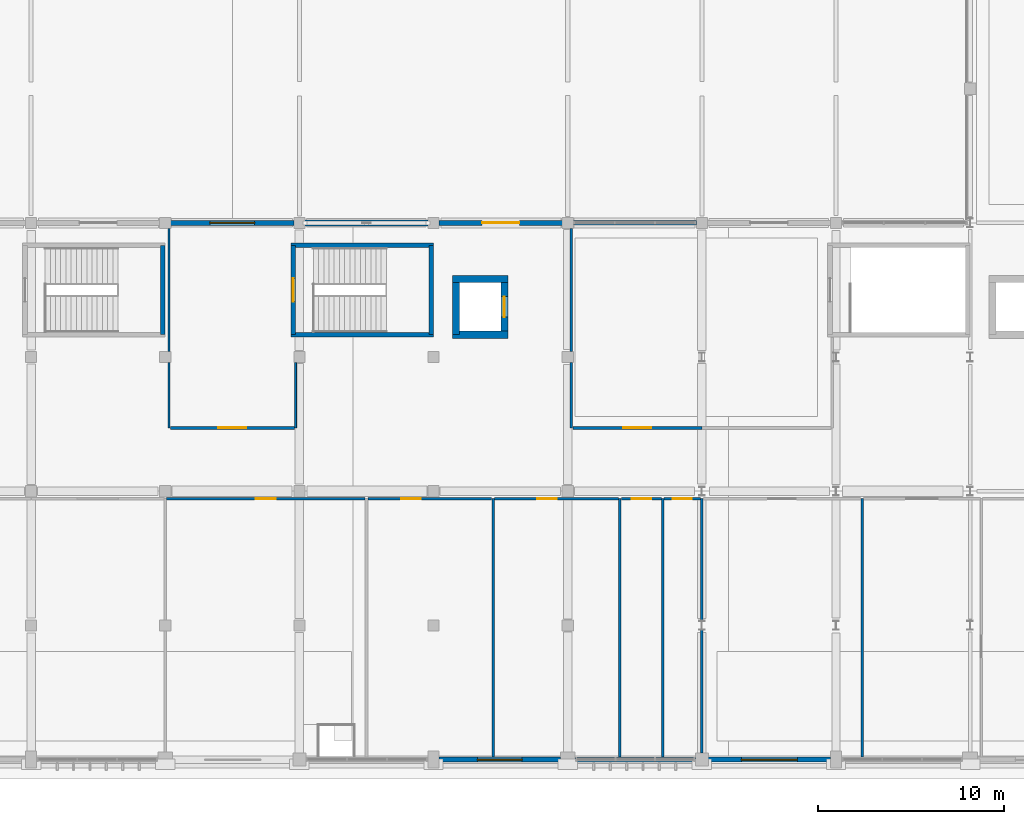
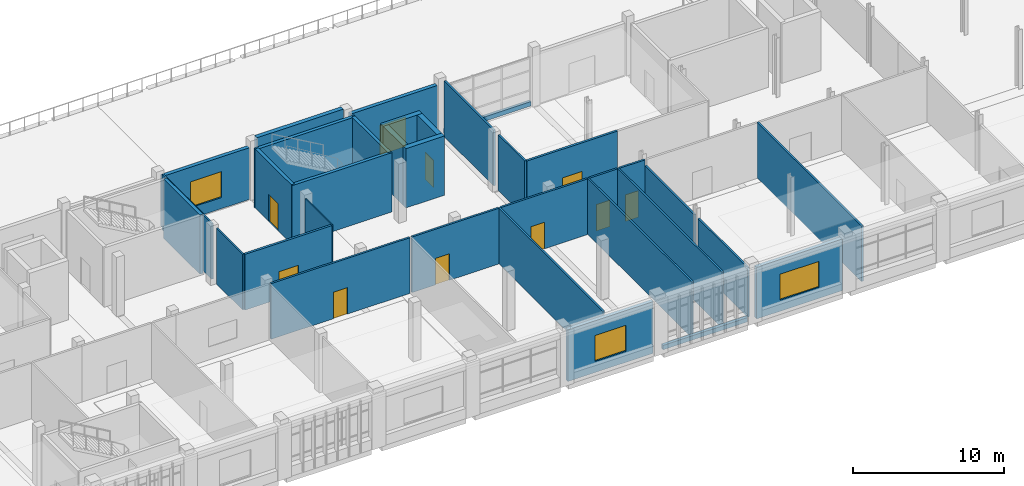
# One storey, part 59 of 82: 34 walls, 10 doors, 3 windows, 13 openings.
"""IFC4 building model written with IfcOpenShell, lengths in metres."""

import ifcopenshell
import ifcopenshell.guid

model = None  # the IFC model being written
_history = None  # IfcOwnerHistory: only IFC2X3 demands one
_inside = {}  # id of a spatial element -> (the spatial element, [elements in it])
_under = {}  # id of a project, library or spatial element -> (it, [spatial elements below it])
_declared = {}  # id of a project -> (the project, [libraries it declares])
_typed = {}  # id of a type object -> (the type object, [elements of that type])
_made_of = {}  # id of a material, layer set ... -> (it, [elements and type objects made of it])


def new_model(schema):
    """Start an empty IFC model of exactly this schema.

    Asked for "IFC4X3", IfcOpenShell would pick the latest addendum, in which some entities
    have other attributes; the version numbers below select the first issue.
    IFC2X3 requires an IfcOwnerHistory on every rooted entity: one is made here for all.
    """
    global model, _history
    if schema == "IFC4X3":
        model = ifcopenshell.file(schema_version=(4, 3, 0, 0))
    else:
        model = ifcopenshell.file(schema=schema)
    _inside.clear()
    _under.clear()
    _declared.clear()
    _typed.clear()
    _made_of.clear()
    _history = None
    if model.schema == "IFC2X3":
        org = make("IfcOrganization", Name="unknown")
        user = make(
            "IfcPersonAndOrganization",
            ThePerson=make("IfcPerson", FamilyName="unknown"),
            TheOrganization=org,
        )
        app = make(
            "IfcApplication",
            ApplicationDeveloper=org,
            Version="unknown",
            ApplicationFullName="unknown",
            ApplicationIdentifier="unknown",
        )
        _history = make(
            "IfcOwnerHistory",
            OwningUser=user,
            OwningApplication=app,
            ChangeAction="ADDED",
            CreationDate=0,
        )
    return model


def make(cls, **values):
    """One entity of the class cls with the attributes given. An attribute that is None is left unset."""
    return model.create_entity(
        cls, **{name: value for name, value in values.items() if value is not None}
    )


def rooted(cls, **values):
    """An entity with a GlobalId (a new one), such as an element, a storey or a relation."""
    return make(cls, GlobalId=ifcopenshell.guid.new(), OwnerHistory=_history, **values)


def si_unit(unit_type, name, prefix=None):
    """IfcSIUnit, for example si_unit("LENGTHUNIT", "METRE", prefix="MILLI")."""
    return make("IfcSIUnit", UnitType=unit_type, Prefix=prefix, Name=name)


def assignment(units):
    """IfcUnitAssignment: the units of a project."""
    return None if units is None else make("IfcUnitAssignment", Units=units)


def point(xyz):
    """IfcCartesianPoint."""
    return None if xyz is None else make("IfcCartesianPoint", Coordinates=xyz)


def direction(xyz):
    """IfcDirection."""
    return None if xyz is None else make("IfcDirection", DirectionRatios=xyz)


def frame(location, z_axis=None, x_axis=None):
    """IfcAxis2Placement3D, a coordinate frame: its origin and axes. An axis left out is left unset."""
    return make(
        "IfcAxis2Placement3D",
        Location=point(location),
        Axis=direction(z_axis),
        RefDirection=direction(x_axis),
    )


def frame_2d(location, x_axis=None):
    """IfcAxis2Placement2D, a coordinate frame in the plane: its origin and x axis."""
    return make(
        "IfcAxis2Placement2D", Location=point(location), RefDirection=direction(x_axis)
    )


def origin():
    """The frame at (0, 0, 0) with its axes left unset."""
    return frame((0.0, 0.0, 0.0))


def place(relative_to, where):
    """IfcLocalPlacement: puts the frame where relative to a parent placement (None: the world)."""
    return make(
        "IfcLocalPlacement", PlacementRelTo=relative_to, RelativePlacement=where
    )


def context(
    kind, dimensions, precision=None, world=None, true_north=None, identifier=None
):
    """IfcGeometricRepresentationContext, for example the 3D "Model" context."""
    return make(
        "IfcGeometricRepresentationContext",
        ContextIdentifier=identifier,
        ContextType=kind,
        CoordinateSpaceDimension=dimensions,
        Precision=precision,
        WorldCoordinateSystem=world,
        TrueNorth=true_north,
    )


def subcontext(parent, identifier, kind, view, scale=None):
    """IfcGeometricRepresentationSubContext, for example "Body" below "Model"."""
    return make(
        "IfcGeometricRepresentationSubContext",
        ContextIdentifier=identifier,
        ContextType=kind,
        ParentContext=parent,
        TargetScale=scale,
        TargetView=view,
    )


def project(units=None, contexts=None):
    """IfcProject with its units and contexts."""
    return rooted(
        "IfcProject",
        Name="project",
        RepresentationContexts=contexts,
        UnitsInContext=assignment(units),
    )


def spatial(cls, under=None, at=None, **own):
    """A site, building, storey or space (cls), placed at a placement, below another one or the project."""
    s = rooted(cls, ObjectPlacement=at, **own)
    if under is not None:
        _under.setdefault(under.id(), (under, []))[1].append(s)
    return s


def profile(cls, at=None, kind="AREA", **sizes):
    """A parametric profile (cls). Its sizes go by their IFC names, for example OverallWidth=200.0."""
    return make(cls, ProfileType=kind, Position=at, **sizes)


def rectangle(**sizes):
    """IfcRectangleProfileDef."""
    return profile("IfcRectangleProfileDef", **sizes)


def extrude(swept, where, along, depth):
    """IfcExtrudedAreaSolid: the profile swept, set in the frame where, extruded along a direction by depth."""
    return make(
        "IfcExtrudedAreaSolid",
        SweptArea=swept,
        Position=where,
        ExtrudedDirection=direction(along),
        Depth=depth,
    )


def shape(context_of_items, identifier, shape_type, items):
    """IfcShapeRepresentation: the items that make up one representation, for example the "Body"."""
    return make(
        "IfcShapeRepresentation",
        ContextOfItems=context_of_items,
        RepresentationIdentifier=identifier,
        RepresentationType=shape_type,
        Items=items,
    )


def material(Name=None, Category=None):
    """IfcMaterial."""
    return make("IfcMaterial", Name=Name, Category=Category)


def layer(
    of_material, thickness, ventilated=None, Name=None, Category=None, Priority=None
):
    """IfcMaterialLayer: one layer of a wall or slab, of a material (None: an air gap)."""
    return make(
        "IfcMaterialLayer",
        Material=of_material,
        LayerThickness=thickness,
        IsVentilated=ventilated,
        Name=Name,
        Category=Category,
        Priority=Priority,
    )


def layer_set(layers, Name=None):
    """IfcMaterialLayerSet."""
    return make("IfcMaterialLayerSet", MaterialLayers=layers, LayerSetName=Name)


def made_of(thing, what):
    """Note that an element or type object is made of a material, layer set ...; save() writes the relation."""
    if what is not None:
        _made_of.setdefault(what.id(), (what, []))[1].append(thing)
    return thing


def type_object(cls, material=None, **own):
    """A type object (cls), such as IfcWallType, which elements share."""
    return made_of(rooted(cls, **own), material)


def element(
    cls,
    number,
    at=None,
    inside=None,
    cuts=None,
    type_object=None,
    material=None,
    context=None,
    identifier="Body",
    shape_type=None,
    held_by="IfcProductDefinitionShape",
    body=None,
    shapes=None,
    **own,
):
    """One element of the class cls, such as IfcWall. Its Tag is "e" and its number.

    at: its placement. inside: the storey or other place that contains it. cuts: it is an
    opening in that element (IfcRelVoidsElement). A single representation is given by context,
    identifier, shape_type and body (its items); several are given by shapes. held_by: the class
    of the entity that holds the representations. save() writes the other relations.
    """
    e = rooted(cls, Tag="e%d" % number, ObjectPlacement=at, **own)
    if body is not None:
        shapes = [shape(context, identifier, shape_type, body)]
    if shapes is not None:
        e.Representation = make(held_by, Representations=shapes)
    if inside is not None:
        _inside.setdefault(inside.id(), (inside, []))[1].append(e)
    if cuts is not None:
        rooted(
            "IfcRelVoidsElement", RelatingBuildingElement=cuts, RelatedOpeningElement=e
        )
    if type_object is not None:
        _typed.setdefault(type_object.id(), (type_object, []))[1].append(e)
    return made_of(e, material)


def fill(opening, filler):
    """IfcRelFillsElement: the door or window that sits in an opening."""
    return rooted(
        "IfcRelFillsElement",
        RelatingOpeningElement=opening,
        RelatedBuildingElement=filler,
    )


def aggregate(whole, parts):
    """IfcRelAggregates: a whole, such as a stair, and the parts it consists of."""
    return rooted("IfcRelAggregates", RelatingObject=whole, RelatedObjects=parts)


def save(model, path):
    """Write the relations noted so far, then the file.

    IfcRelAggregates (storeys below a building ...), IfcRelContainedInSpatialStructure (elements
    in a storey), IfcRelDefinesByType, IfcRelAssociatesMaterial and IfcRelDeclares: one each for
    every whole, place, type object, material and project.
    """
    for whole, parts in _under.values():
        aggregate(whole, parts)
    for where, things in _inside.values():
        rooted(
            "IfcRelContainedInSpatialStructure",
            RelatedElements=things,
            RelatingStructure=where,
        )
    for kind, things in _typed.values():
        rooted("IfcRelDefinesByType", RelatedObjects=things, RelatingType=kind)
    for what, things in _made_of.values():
        rooted("IfcRelAssociatesMaterial", RelatedObjects=things, RelatingMaterial=what)
    for by, libraries in _declared.values():
        rooted("IfcRelDeclares", RelatingContext=by, RelatedDefinitions=libraries)
    model.write(path)


model = new_model("IFC4")

# Units and contexts
model_context = context("Model", 3, precision=1e-05, world=origin(), true_north=direction((0.0, 1.0)))
body_context = subcontext(model_context, "Body", "Model", "MODEL_VIEW")
ifc_project = project(units=[si_unit("LENGTHUNIT", "METRE"), si_unit("AREAUNIT", "SQUARE_METRE"), si_unit("VOLUMEUNIT", "CUBIC_METRE"), si_unit("PLANEANGLEUNIT", "RADIAN"), si_unit("MASSUNIT", "GRAM", prefix="KILO")], contexts=[model_context])

# Site, building, storey
site_placement = place(None, origin())
site = spatial("IfcSite", under=ifc_project, at=site_placement, CompositionType="ELEMENT")
building_placement = place(site_placement, origin())
building = spatial("IfcBuilding", under=site, at=building_placement, Name="Sardonyx Promenade Sports Hall", CompositionType="ELEMENT")
storey_placement = place(building_placement, frame((0.0, 0.0, 11.199951171875)))
storey = spatial("IfcBuildingStorey", under=building, at=storey_placement, Name="L02", CompositionType="ELEMENT", Elevation=11.199951171875)

# Wall, opening, door
ifc_material_1 = material(Name="Concrete C40/50", Category="concrete")
ifc_layer_1 = layer(ifc_material_1, 0.3798828125)
ifc_layer_set_1 = layer_set([ifc_layer_1], Name="Wall_Core_Shear_380")
wall_type_1 = type_object("IfcWallType", Name="Wall_Core_Shear_380", PredefinedType="SHEAR", material=ifc_layer_set_1)
wall_1_placement = place(storey_placement, frame((83.0, 22.800048828125, 0.0), z_axis=(0.0, 0.0, 1.0), x_axis=(0.0, 1.0, 0.0)))
wall_1 = element("IfcWall", 1, at=wall_1_placement, inside=storey, type_object=wall_type_1, Name="Lift shaft wall LF2 L02 E", PredefinedType="SHEAR", context=body_context, shape_type="SweptSolid", body=[
    extrude(rectangle(XDim=3.0, YDim=0.3798828125, at=frame_2d((1.5, 0.0))), origin(), (0.0, 0.0, 1.0), 4.800048828125),
])
opening_1_placement = place(wall_1_placement, frame((0.949951171875, 0.0, 0.0)))
opening_1 = element("IfcOpeningElement", 2, at=opening_1_placement, cuts=wall_1, Name="Opening LD01", PredefinedType="OPENING", context=body_context, shape_type="SweptSolid", body=[
    extrude(rectangle(XDim=1.10009765625, YDim=2.199951171875, at=frame_2d((0.550048828125, 1.10009765625))), frame((0.0, 0.2, 0.0), z_axis=(0.0, -1.0, 0.0), x_axis=(1.0, 0.0, 0.0)), (0.0, 0.0, 1.0), 0.4),
])
ifc_material_2 = material(Name="Fire-rated stainless steel sliding lift door", Category="steel")
door_type_1 = type_object("IfcDoorType", Name="Door_Lift_Pass_110x220", OperationType="NOTDEFINED", PredefinedType="DOOR", material=ifc_material_2)
door_1_placement = place(opening_1_placement, origin())
door_1 = element("IfcDoor", 3, at=door_1_placement, inside=storey, type_object=door_type_1, Name="Lift landing sliding door LD-LF2-L02", OperationType="SLIDING_TO_LEFT", OverallHeight=2.199951171875, OverallWidth=1.10009765625, PredefinedType="DOOR", context=body_context, shape_type="SweptSolid", body=[
    extrude(rectangle(XDim=1.10009765625, YDim=2.199951171875, at=frame_2d((0.550048828125, 1.10009765625))), frame((0.0, 0.02490234375, 0.0), z_axis=(0.0, -1.0, 0.0), x_axis=(1.0, 0.0, 0.0)), (0.0, 0.0, 1.0), 0.050048828125),
])
fill(opening_1, door_1)

# Walls
wall_2_placement = place(storey_placement, frame((80.2099609375, 25.800048828125, 0.0), z_axis=(0.0, 0.0, 1.0), x_axis=(1.0, 0.0, 0.0)))
element("IfcWall", 4, at=wall_2_placement, inside=storey, type_object=wall_type_1, Name="Lift shaft wall LF2 L02 N", PredefinedType="SHEAR", context=body_context, shape_type="SweptSolid", body=[
    extrude(rectangle(XDim=2.97998046875, YDim=0.3798828125, at=frame_2d((1.489990234375, 0.0))), origin(), (0.0, 0.0, 1.0), 4.800048828125),
])
wall_3_placement = place(storey_placement, frame((80.39990234375, 25.800048828125, 0.0), z_axis=(0.0, 0.0, 1.0), x_axis=(0.0, -1.0, 0.0)))
element("IfcWall", 5, at=wall_3_placement, inside=storey, type_object=wall_type_1, Name="Lift shaft wall LF2 L02 W", PredefinedType="SHEAR", context=body_context, shape_type="SweptSolid", body=[
    extrude(rectangle(XDim=3.0, YDim=0.3798828125, at=frame_2d((1.5, 0.0))), origin(), (0.0, 0.0, 1.0), 4.800048828125),
])
wall_4_placement = place(storey_placement, frame((83.18994140625, 22.800048828125, 0.0), z_axis=(0.0, 0.0, 1.0), x_axis=(-1.0, 0.0, 0.0)))
element("IfcWall", 6, at=wall_4_placement, inside=storey, type_object=wall_type_1, Name="Lift shaft wall LF2 L02 S", PredefinedType="SHEAR", context=body_context, shape_type="SweptSolid", body=[
    extrude(rectangle(XDim=2.97998046875, YDim=0.3798828125, at=frame_2d((1.489990234375, 0.0))), origin(), (0.0, 0.0, 1.0), 4.800048828125),
])
ifc_material_3 = material(Name="Concrete C40/50", Category="concrete")
ifc_layer_2 = layer(ifc_material_3, 0.320068359375)
ifc_layer_set_2 = layer_set([ifc_layer_2], Name="Wall_Ext_Court_320")
wall_type_2 = type_object("IfcWallType", Name="Wall_Ext_Court_320", PredefinedType="SOLIDWALL", material=ifc_layer_set_2)
wall_5_placement = place(storey_placement, frame((72.284912109375, 28.800048828125, 0.0), z_axis=(0.0, 0.0, 1.0), x_axis=(1.0, 0.0, 0.0)))
element("IfcWall", 7, at=wall_5_placement, inside=storey, type_object=wall_type_2, Name="Exterior wall EW01 L02 #245", PredefinedType="SOLIDWALL", context=body_context, shape_type="SweptSolid", body=[
    extrude(rectangle(XDim=6.630126953125, YDim=0.320068359375, at=frame_2d((3.31494140625, 0.0))), origin(), (0.0, 0.0, 1.0), 4.800048828125),
])
ifc_material_4 = material(Name="Masonry CMU 15 MPa", Category="masonry")
ifc_layer_3 = layer(ifc_material_4, 0.239990234375)
ifc_layer_set_3 = layer_set([ifc_layer_3], Name="Wall_Ext_Spandrel_240")
wall_type_3 = type_object("IfcWallType", Name="Wall_Ext_Spandrel_240", PredefinedType="SOLIDWALL", material=ifc_layer_set_3)
wall_6_placement = place(storey_placement, frame((93.264892578125, 0.0, 0.0), z_axis=(0.0, 0.0, 1.0), x_axis=(-1.0, 0.0, 0.0)))
element("IfcWall", 8, at=wall_6_placement, inside=storey, type_object=wall_type_3, Name="Curtain-wall sill spandrel L02 #64", PredefinedType="SOLIDWALL", context=body_context, shape_type="SweptSolid", body=[
    extrude(rectangle(XDim=6.47998046875, YDim=0.239990234375, at=frame_2d((3.239990234375, 0.0))), origin(), (0.0, 0.0, 1.0), 0.35009765625),
])
wall_7_placement = place(storey_placement, frame((86.68505859375, 28.800048828125, 0.0), z_axis=(0.0, 0.0, 1.0), x_axis=(1.0, 0.0, 0.0)))
element("IfcWall", 9, at=wall_7_placement, inside=storey, type_object=wall_type_3, Name="Curtain-wall sill spandrel L02 #247", PredefinedType="SOLIDWALL", context=body_context, shape_type="SweptSolid", body=[
    extrude(rectangle(XDim=6.6298828125, YDim=0.239990234375, at=frame_2d((3.31494140625, 0.0))), origin(), (0.0, 0.0, 1.0), 0.35009765625),
])

# Wall, opening, window
ifc_material_5 = material(Name="Concrete C40/50", Category="concrete")
ifc_layer_4 = layer(ifc_material_5, 0.280029296875)
ifc_layer_set_4 = layer_set([ifc_layer_4], Name="Wall_Ext_Wing_280")
wall_type_4 = type_object("IfcWallType", Name="Wall_Ext_Wing_280", PredefinedType="SOLIDWALL", material=ifc_layer_set_4)
wall_8_placement = place(storey_placement, frame((100.514892578125, 0.0, 0.0), z_axis=(0.0, 0.0, 1.0), x_axis=(-1.0, 0.0, 0.0)))
wall_8 = element("IfcWall", 10, at=wall_8_placement, inside=storey, type_object=wall_type_4, Name="Exterior wall EW02 L02 #63", PredefinedType="SOLIDWALL", context=body_context, shape_type="SweptSolid", body=[
    extrude(rectangle(XDim=6.579833984375, YDim=0.280029296875, at=frame_2d((3.2900390625, 0.0))), origin(), (0.0, 0.0, 1.0), 4.18505859375),
])
opening_2_placement = place(wall_8_placement, frame((1.7900390625, 0.0, 0.89990234375)))
opening_2 = element("IfcOpeningElement", 11, at=opening_2_placement, cuts=wall_8, Name="Opening W21", PredefinedType="OPENING", context=body_context, shape_type="SweptSolid", body=[
    extrude(rectangle(XDim=3.0, YDim=2.10009765625, at=frame_2d((1.5, 1.050048828125))), frame((0.0, 0.15, 0.0), z_axis=(0.0, -1.0, 0.0), x_axis=(1.0, 0.0, 0.0)), (0.0, 0.0, 1.0), 0.3),
])
ifc_material_6 = material(Name="Double-glazed solar low-E aluminium window", Category="aluminium")
window_type_1 = type_object("IfcWindowType", Name="Win_Studio_300x210", PartitioningType="DOUBLE_PANEL_VERTICAL", PredefinedType="WINDOW", material=ifc_material_6)
window_1_placement = place(opening_2_placement, origin())
window_1 = element("IfcWindow", 12, at=window_1_placement, inside=storey, type_object=window_type_1, Name="Facade window W21 L02 #24", OverallHeight=2.10009765625, OverallWidth=3.0, PartitioningType="SINGLE_PANEL", PredefinedType="WINDOW", context=body_context, shape_type="SweptSolid", body=[
    extrude(rectangle(XDim=3.0, YDim=2.10009765625, at=frame_2d((1.5, 1.050048828125))), frame((0.0, 0.030029296875, 0.0), z_axis=(0.0, -1.0, 0.0), x_axis=(1.0, 0.0, 0.0)), (0.0, 0.0, 1.0), 0.06005859375),
])
fill(opening_2, window_1)

wall_9_placement = place(storey_placement, frame((86.014892578125, 0.0, 0.0), z_axis=(0.0, 0.0, 1.0), x_axis=(-1.0, 0.0, 0.0)))
wall_9 = element("IfcWall", 13, at=wall_9_placement, inside=storey, type_object=wall_type_4, Name="Exterior wall EW02 L02 #65", PredefinedType="SOLIDWALL", context=body_context, shape_type="SweptSolid", body=[
    extrude(rectangle(XDim=6.52978515625, YDim=0.280029296875, at=frame_2d((3.264892578125, 0.0))), origin(), (0.0, 0.0, 1.0), 4.18505859375),
])
opening_3_placement = place(wall_9_placement, frame((2.06494140625, 0.0, 0.89990234375)))
opening_3 = element("IfcOpeningElement", 14, at=opening_3_placement, cuts=wall_9, Name="Opening W16", PredefinedType="OPENING", context=body_context, shape_type="SweptSolid", body=[
    extrude(rectangle(XDim=2.39990234375, YDim=2.10009765625, at=frame_2d((1.199951171875, 1.050048828125))), frame((0.0, 0.15, 0.0), z_axis=(0.0, -1.0, 0.0), x_axis=(1.0, 0.0, 0.0)), (0.0, 0.0, 1.0), 0.3),
])
ifc_material_7 = material(Name="Double-glazed solar low-E aluminium window", Category="aluminium")
window_type_2 = type_object("IfcWindowType", Name="Win_Studio_240x210", PartitioningType="DOUBLE_PANEL_VERTICAL", PredefinedType="WINDOW", material=ifc_material_7)
window_2_placement = place(opening_3_placement, origin())
window_2 = element("IfcWindow", 15, at=window_2_placement, inside=storey, type_object=window_type_2, Name="Facade window W16 L02 #25", OverallHeight=2.10009765625, OverallWidth=2.39990234375, PartitioningType="SINGLE_PANEL", PredefinedType="WINDOW", context=body_context, shape_type="SweptSolid", body=[
    extrude(rectangle(XDim=2.39990234375, YDim=2.10009765625, at=frame_2d((1.199951171875, 1.050048828125))), frame((0.0, 0.030029296875, 0.0), z_axis=(0.0, -1.0, 0.0), x_axis=(1.0, 0.0, 0.0)), (0.0, 0.0, 1.0), 0.06005859375),
])
fill(opening_3, window_2)

wall_10_placement = place(storey_placement, frame((65.0849609375, 28.800048828125, 0.0), z_axis=(0.0, 0.0, 1.0), x_axis=(1.0, 0.0, 0.0)))
wall_10 = element("IfcWall", 16, at=wall_10_placement, inside=storey, type_object=wall_type_4, Name="Exterior wall EW02 L02 #244", PredefinedType="SOLIDWALL", context=body_context, shape_type="SweptSolid", body=[
    extrude(rectangle(XDim=6.630126953125, YDim=0.280029296875, at=frame_2d((3.31494140625, 0.0))), origin(), (0.0, 0.0, 1.0), 4.18505859375),
])
opening_4_placement = place(wall_10_placement, frame((2.114990234375, 0.0, 0.89990234375)))
opening_4 = element("IfcOpeningElement", 17, at=opening_4_placement, cuts=wall_10, Name="Opening W16", PredefinedType="OPENING", context=body_context, shape_type="SweptSolid", body=[
    extrude(rectangle(XDim=2.39990234375, YDim=2.10009765625, at=frame_2d((1.199951171875, 1.050048828125))), frame((0.0, 0.15, 0.0), z_axis=(0.0, -1.0, 0.0), x_axis=(1.0, 0.0, 0.0)), (0.0, 0.0, 1.0), 0.3),
])
window_3_placement = place(opening_4_placement, origin())
window_3 = element("IfcWindow", 18, at=window_3_placement, inside=storey, type_object=window_type_2, Name="Facade window W16 L02 #98", OverallHeight=2.10009765625, OverallWidth=2.39990234375, PartitioningType="SINGLE_PANEL", PredefinedType="WINDOW", context=body_context, shape_type="SweptSolid", body=[
    extrude(rectangle(XDim=2.39990234375, YDim=2.10009765625, at=frame_2d((1.199951171875, 1.050048828125))), frame((0.0, 0.030029296875, 0.0), z_axis=(0.0, -1.0, 0.0), x_axis=(1.0, 0.0, 0.0)), (0.0, 0.0, 1.0), 0.06005859375),
])
fill(opening_4, window_3)

# Wall, opening, door
wall_11_placement = place(storey_placement, frame((79.485107421875, 28.800048828125, 0.0), z_axis=(0.0, 0.0, 1.0), x_axis=(1.0, 0.0, 0.0)))
wall_11 = element("IfcWall", 19, at=wall_11_placement, inside=storey, type_object=wall_type_4, Name="Exterior wall EW02 L02 #246", PredefinedType="SOLIDWALL", context=body_context, shape_type="SweptSolid", body=[
    extrude(rectangle(XDim=6.6298828125, YDim=0.280029296875, at=frame_2d((3.31494140625, 0.0))), origin(), (0.0, 0.0, 1.0), 4.18505859375),
])
opening_5_placement = place(wall_11_placement, frame((2.31494140625, 0.0, 0.0)))
opening_5 = element("IfcOpeningElement", 20, at=opening_5_placement, cuts=wall_11, Name="Opening ED12", PredefinedType="OPENING", context=body_context, shape_type="SweptSolid", body=[
    extrude(rectangle(XDim=2.0, YDim=2.39990234375, at=frame_2d((1.0, 1.199951171875))), frame((0.0, 0.15, 0.0), z_axis=(0.0, -1.0, 0.0), x_axis=(1.0, 0.0, 0.0)), (0.0, 0.0, 1.0), 0.3),
])
ifc_material_8 = material(Name="Thermally broken anodised aluminium glazed door", Category="aluminium")
door_type_2 = type_object("IfcDoorType", Name="Door_Ext_Garden_200x240", OperationType="NOTDEFINED", PredefinedType="DOOR", material=ifc_material_8)
door_2_placement = place(opening_5_placement, origin())
door_2 = element("IfcDoor", 21, at=door_2_placement, inside=storey, type_object=door_type_2, Name="Exterior exit door GD04", OperationType="DOUBLE_DOOR_SINGLE_SWING", OverallHeight=2.39990234375, OverallWidth=2.0, PredefinedType="DOOR", context=body_context, shape_type="SweptSolid", body=[
    extrude(rectangle(XDim=2.0, YDim=2.39990234375, at=frame_2d((1.0, 1.199951171875))), frame((0.0, 0.02490234375, 0.0), z_axis=(0.0, -1.0, 0.0), x_axis=(1.0, 0.0, 0.0)), (0.0, 0.0, 1.0), 0.050048828125),
])
fill(opening_5, door_2)

ifc_material_9 = material(Name="Twin-stud acoustic gypsum partition", Category="gypsum")
ifc_layer_5 = layer(ifc_material_9, 0.169921875)
ifc_layer_set_5 = layer_set([ifc_layer_5], Name="Wall_Part_Acoust_170")
wall_type_5 = type_object("IfcWallType", Name="Wall_Part_Acoust_170", PredefinedType="PARTITIONING", material=ifc_layer_set_5)
wall_12_placement = place(storey_placement, frame((65.070068359375, 17.800048828125, 0.0), z_axis=(0.0, 0.0, 1.0), x_axis=(1.0, 0.0, 0.0)))
wall_12 = element("IfcWall", 22, at=wall_12_placement, inside=storey, type_object=wall_type_5, Name="Interior partition PW06 L02 #293", PredefinedType="PARTITIONING", context=body_context, shape_type="SweptSolid", body=[
    extrude(rectangle(XDim=6.669921875, YDim=0.169921875, at=frame_2d((3.3349609375, 0.0))), origin(), (0.0, 0.0, 1.0), 4.510009765625),
])
opening_6_placement = place(wall_12_placement, frame((2.5849609375, 0.0, 0.0)))
opening_6 = element("IfcOpeningElement", 23, at=opening_6_placement, cuts=wall_12, Name="Opening ID10", PredefinedType="OPENING", context=body_context, shape_type="SweptSolid", body=[
    extrude(rectangle(XDim=1.5, YDim=2.199951171875, at=frame_2d((0.75, 1.10009765625))), frame((0.0, 0.095, 0.0), z_axis=(0.0, -1.0, 0.0), x_axis=(1.0, 0.0, 0.0)), (0.0, 0.0, 1.0), 0.19),
])
ifc_material_10 = material(Name="Double studio entrance fire door FD30S", Category="wood")
door_type_3 = type_object("IfcDoorType", Name="Door_Corr_FD30_150x220", OperationType="NOTDEFINED", PredefinedType="DOOR", material=ifc_material_10)
door_3_placement = place(opening_6_placement, origin())
door_3 = element("IfcDoor", 24, at=door_3_placement, inside=storey, type_object=door_type_3, Name="Interior door D02-093", OperationType="DOUBLE_DOOR_SINGLE_SWING", OverallHeight=2.199951171875, OverallWidth=1.5, PredefinedType="DOOR", context=body_context, shape_type="SweptSolid", body=[
    extrude(rectangle(XDim=1.5, YDim=2.199951171875, at=frame_2d((0.75, 1.10009765625))), frame((0.0, 0.02490234375, 0.0), z_axis=(0.0, -1.0, 0.0), x_axis=(1.0, 0.0, 0.0)), (0.0, 0.0, 1.0), 0.050048828125),
])
fill(opening_6, door_3)

wall_13_placement = place(storey_placement, frame((86.679931640625, 17.800048828125, 0.0), z_axis=(0.0, 0.0, 1.0), x_axis=(1.0, 0.0, 0.0)))
wall_13 = element("IfcWall", 25, at=wall_13_placement, inside=storey, type_object=wall_type_5, Name="Interior partition PW06 L02 #294", PredefinedType="PARTITIONING", context=body_context, shape_type="SweptSolid", body=[
    extrude(rectangle(XDim=6.920166015625, YDim=0.169921875, at=frame_2d((3.4599609375, 0.0))), origin(), (0.0, 0.0, 1.0), 4.510009765625),
])
opening_7_placement = place(wall_13_placement, frame((2.7099609375, 0.0, 0.0)))
opening_7 = element("IfcOpeningElement", 26, at=opening_7_placement, cuts=wall_13, Name="Opening ID10", PredefinedType="OPENING", context=body_context, shape_type="SweptSolid", body=[
    extrude(rectangle(XDim=1.5, YDim=2.199951171875, at=frame_2d((0.75, 1.10009765625))), frame((0.0, 0.095, 0.0), z_axis=(0.0, -1.0, 0.0), x_axis=(1.0, 0.0, 0.0)), (0.0, 0.0, 1.0), 0.19),
])
door_4_placement = place(opening_7_placement, origin())
door_4 = element("IfcDoor", 27, at=door_4_placement, inside=storey, type_object=door_type_3, Name="Interior door D02-094", OperationType="DOUBLE_DOOR_SINGLE_SWING", OverallHeight=2.199951171875, OverallWidth=1.5, PredefinedType="DOOR", context=body_context, shape_type="SweptSolid", body=[
    extrude(rectangle(XDim=1.5, YDim=2.199951171875, at=frame_2d((0.75, 1.10009765625))), frame((0.0, 0.02490234375, 0.0), z_axis=(0.0, -1.0, 0.0), x_axis=(1.0, 0.0, 0.0)), (0.0, 0.0, 1.0), 0.050048828125),
])
fill(opening_7, door_4)

# Walls
ifc_material_11 = material(Name="Hygienic clinical stud partition", Category="gypsum")
ifc_layer_6 = layer(ifc_material_11, 0.1201171875)
ifc_layer_set_6 = layer_set([ifc_layer_6], Name="Wall_Part_Clinic_120")
wall_type_6 = type_object("IfcWallType", Name="Wall_Part_Clinic_120", PredefinedType="PARTITIONING", material=ifc_layer_set_6)
wall_14_placement = place(storey_placement, frame((65.0, 17.800048828125, 0.0), z_axis=(0.0, 0.0, 1.0), x_axis=(0.0, 1.0, 0.0)))
element("IfcWall", 28, at=wall_14_placement, inside=storey, type_object=wall_type_6, Name="Interior partition PW02 L02 #264", PredefinedType="PARTITIONING", context=body_context, shape_type="SweptSolid", body=[
    extrude(rectangle(XDim=3.5, YDim=0.1201171875, at=frame_2d((1.75, 0.0))), origin(), (0.0, 0.0, 1.0), 4.510009765625),
])
wall_15_placement = place(storey_placement, frame((65.0, 21.89990234375, 0.0), z_axis=(0.0, 0.0, 1.0), x_axis=(0.0, 1.0, 0.0)))
element("IfcWall", 29, at=wall_15_placement, inside=storey, type_object=wall_type_6, Name="Interior partition PW02 L02 #265", PredefinedType="PARTITIONING", context=body_context, shape_type="SweptSolid", body=[
    extrude(rectangle(XDim=6.60009765625, YDim=0.1201171875, at=frame_2d((3.300048828125, 0.0))), origin(), (0.0, 0.0, 1.0), 4.510009765625),
])

# Wall, opening, door
ifc_material_12 = material(Name="Fire-rated stud gypsum partition", Category="gypsum")
ifc_layer_7 = layer(ifc_material_12, 0.14990234375)
ifc_layer_set_7 = layer_set([ifc_layer_7], Name="Wall_Part_Corridor_150")
wall_type_7 = type_object("IfcWallType", Name="Wall_Part_Corridor_150", PredefinedType="PARTITIONING", material=ifc_layer_set_7)
wall_16_placement = place(storey_placement, frame((64.8701171875, 14.0, 0.0), z_axis=(0.0, 0.0, 1.0), x_axis=(1.0, 0.0, 0.0)))
wall_16 = element("IfcWall", 30, at=wall_16_placement, inside=storey, type_object=wall_type_7, Name="Interior partition PW04 L02 #282", PredefinedType="PARTITIONING", context=body_context, shape_type="SweptSolid", body=[
    extrude(rectangle(XDim=10.64990234375, YDim=0.14990234375, at=frame_2d((5.324951171875, 0.0))), origin(), (0.0, 0.0, 1.0), 4.510009765625),
])
opening_8_placement = place(wall_16_placement, frame((4.800048828125, 0.0, 0.0)))
opening_8 = element("IfcOpeningElement", 31, at=opening_8_placement, cuts=wall_16, Name="Opening ID07", PredefinedType="OPENING", context=body_context, shape_type="SweptSolid", body=[
    extrude(rectangle(XDim=1.050048828125, YDim=2.14990234375, at=frame_2d((0.52490234375, 1.074951171875))), frame((0.0, 0.085, 0.0), z_axis=(0.0, -1.0, 0.0), x_axis=(1.0, 0.0, 0.0)), (0.0, 0.0, 1.0), 0.17),
])
ifc_material_13 = material(Name="Hardwood accessible fire door FD30S", Category="wood")
door_type_4 = type_object("IfcDoorType", Name="Door_Corr_FD30_105x215", OperationType="NOTDEFINED", PredefinedType="DOOR", material=ifc_material_13)
door_5_placement = place(opening_8_placement, origin())
door_5 = element("IfcDoor", 32, at=door_5_placement, inside=storey, type_object=door_type_4, Name="Interior door D02-083", OperationType="SINGLE_SWING_RIGHT", OverallHeight=2.14990234375, OverallWidth=1.050048828125, PredefinedType="DOOR", context=body_context, shape_type="SweptSolid", body=[
    extrude(rectangle(XDim=1.050048828125, YDim=2.14990234375, at=frame_2d((0.52490234375, 1.074951171875))), frame((0.0, 0.02490234375, 0.0), z_axis=(0.0, -1.0, 0.0), x_axis=(1.0, 0.0, 0.0)), (0.0, 0.0, 1.0), 0.050048828125),
])
fill(opening_8, door_5)

wall_17_placement = place(storey_placement, frame((75.679931640625, 14.0, 0.0), z_axis=(0.0, 0.0, 1.0), x_axis=(1.0, 0.0, 0.0)))
wall_17 = element("IfcWall", 33, at=wall_17_placement, inside=storey, type_object=wall_type_7, Name="Interior partition PW04 L02 #283", PredefinedType="PARTITIONING", context=body_context, shape_type="SweptSolid", body=[
    extrude(rectangle(XDim=6.64013671875, YDim=0.14990234375, at=frame_2d((3.320068359375, 0.0))), origin(), (0.0, 0.0, 1.0), 4.510009765625),
])
opening_9_placement = place(wall_17_placement, frame((1.794921875, 0.0, 0.0)))
opening_9 = element("IfcOpeningElement", 34, at=opening_9_placement, cuts=wall_17, Name="Opening ID07", PredefinedType="OPENING", context=body_context, shape_type="SweptSolid", body=[
    extrude(rectangle(XDim=1.050048828125, YDim=2.14990234375, at=frame_2d((0.52490234375, 1.074951171875))), frame((0.0, 0.085, 0.0), z_axis=(0.0, -1.0, 0.0), x_axis=(1.0, 0.0, 0.0)), (0.0, 0.0, 1.0), 0.17),
])
door_6_placement = place(opening_9_placement, origin())
door_6 = element("IfcDoor", 35, at=door_6_placement, inside=storey, type_object=door_type_4, Name="Interior door D02-084", OperationType="SINGLE_SWING_LEFT", OverallHeight=2.14990234375, OverallWidth=1.050048828125, PredefinedType="DOOR", context=body_context, shape_type="SweptSolid", body=[
    extrude(rectangle(XDim=1.050048828125, YDim=2.14990234375, at=frame_2d((0.52490234375, 1.074951171875))), frame((0.0, 0.02490234375, 0.0), z_axis=(0.0, -1.0, 0.0), x_axis=(1.0, 0.0, 0.0)), (0.0, 0.0, 1.0), 0.050048828125),
])
fill(opening_9, door_6)

wall_18_placement = place(storey_placement, frame((82.47998046875, 14.0, 0.0), z_axis=(0.0, 0.0, 1.0), x_axis=(1.0, 0.0, 0.0)))
wall_18 = element("IfcWall", 36, at=wall_18_placement, inside=storey, type_object=wall_type_7, Name="Interior partition PW04 L02 #284", PredefinedType="PARTITIONING", context=body_context, shape_type="SweptSolid", body=[
    extrude(rectangle(XDim=6.64013671875, YDim=0.14990234375, at=frame_2d((3.320068359375, 0.0))), origin(), (0.0, 0.0, 1.0), 4.510009765625),
])
opening_10_placement = place(wall_18_placement, frame((2.294921875, 0.0, 0.0)))
opening_10 = element("IfcOpeningElement", 37, at=opening_10_placement, cuts=wall_18, Name="Opening ID07", PredefinedType="OPENING", context=body_context, shape_type="SweptSolid", body=[
    extrude(rectangle(XDim=1.050048828125, YDim=2.14990234375, at=frame_2d((0.52490234375, 1.074951171875))), frame((0.0, 0.085, 0.0), z_axis=(0.0, -1.0, 0.0), x_axis=(1.0, 0.0, 0.0)), (0.0, 0.0, 1.0), 0.17),
])
door_7_placement = place(opening_10_placement, origin())
door_7 = element("IfcDoor", 38, at=door_7_placement, inside=storey, type_object=door_type_4, Name="Interior door D02-085", OperationType="SINGLE_SWING_RIGHT", OverallHeight=2.14990234375, OverallWidth=1.050048828125, PredefinedType="DOOR", context=body_context, shape_type="SweptSolid", body=[
    extrude(rectangle(XDim=1.050048828125, YDim=2.14990234375, at=frame_2d((0.52490234375, 1.074951171875))), frame((0.0, 0.02490234375, 0.0), z_axis=(0.0, -1.0, 0.0), x_axis=(1.0, 0.0, 0.0)), (0.0, 0.0, 1.0), 0.050048828125),
])
fill(opening_10, door_7)

wall_19_placement = place(storey_placement, frame((89.280029296875, 14.0, 0.0), z_axis=(0.0, 0.0, 1.0), x_axis=(1.0, 0.0, 0.0)))
wall_19 = element("IfcWall", 39, at=wall_19_placement, inside=storey, type_object=wall_type_7, Name="Interior partition PW04 L02 #285", PredefinedType="PARTITIONING", context=body_context, shape_type="SweptSolid", body=[
    extrude(rectangle(XDim=2.139892578125, YDim=0.14990234375, at=frame_2d((1.06982421875, 0.0))), origin(), (0.0, 0.0, 1.0), 4.510009765625),
])
opening_11_placement = place(wall_19_placement, frame((0.544921875, 0.0, 0.0)))
opening_11 = element("IfcOpeningElement", 40, at=opening_11_placement, cuts=wall_19, Name="Opening ID07", PredefinedType="OPENING", context=body_context, shape_type="SweptSolid", body=[
    extrude(rectangle(XDim=1.050048828125, YDim=2.14990234375, at=frame_2d((0.52490234375, 1.074951171875))), frame((0.0, 0.085, 0.0), z_axis=(0.0, -1.0, 0.0), x_axis=(1.0, 0.0, 0.0)), (0.0, 0.0, 1.0), 0.17),
])
door_8_placement = place(opening_11_placement, origin())
door_8 = element("IfcDoor", 41, at=door_8_placement, inside=storey, type_object=door_type_4, Name="Interior door D02-086", OperationType="SINGLE_SWING_LEFT", OverallHeight=2.14990234375, OverallWidth=1.050048828125, PredefinedType="DOOR", context=body_context, shape_type="SweptSolid", body=[
    extrude(rectangle(XDim=1.050048828125, YDim=2.14990234375, at=frame_2d((0.52490234375, 1.074951171875))), frame((0.0, 0.02490234375, 0.0), z_axis=(0.0, -1.0, 0.0), x_axis=(1.0, 0.0, 0.0)), (0.0, 0.0, 1.0), 0.050048828125),
])
fill(opening_11, door_8)

wall_20_placement = place(storey_placement, frame((91.580078125, 14.0, 0.0), z_axis=(0.0, 0.0, 1.0), x_axis=(1.0, 0.0, 0.0)))
wall_20 = element("IfcWall", 42, at=wall_20_placement, inside=storey, type_object=wall_type_7, Name="Interior partition PW04 L02 #286", PredefinedType="PARTITIONING", context=body_context, shape_type="SweptSolid", body=[
    extrude(rectangle(XDim=1.93994140625, YDim=0.14990234375, at=frame_2d((0.969970703125, 0.0))), origin(), (0.0, 0.0, 1.0), 4.510009765625),
])
opening_12_placement = place(wall_20_placement, frame((0.469970703125, 0.0, 0.0)))
opening_12 = element("IfcOpeningElement", 43, at=opening_12_placement, cuts=wall_20, Name="Opening ID14", PredefinedType="OPENING", context=body_context, shape_type="SweptSolid", body=[
    extrude(rectangle(XDim=1.0, YDim=2.14990234375, at=frame_2d((0.5, 1.074951171875))), frame((0.0, 0.085, 0.0), z_axis=(0.0, -1.0, 0.0), x_axis=(1.0, 0.0, 0.0)), (0.0, 0.0, 1.0), 0.17),
])
ifc_material_14 = material(Name="Hardwood corridor fire door FD30S", Category="wood")
door_type_5 = type_object("IfcDoorType", Name="Door_Corr_FD30_100x215", OperationType="NOTDEFINED", PredefinedType="DOOR", material=ifc_material_14)
door_9_placement = place(opening_12_placement, origin())
door_9 = element("IfcDoor", 44, at=door_9_placement, inside=storey, type_object=door_type_5, Name="Interior door D02-087", OperationType="SINGLE_SWING_RIGHT", OverallHeight=2.14990234375, OverallWidth=1.0, PredefinedType="DOOR", context=body_context, shape_type="SweptSolid", body=[
    extrude(rectangle(XDim=1.0, YDim=2.14990234375, at=frame_2d((0.5, 1.074951171875))), frame((0.0, 0.02490234375, 0.0), z_axis=(0.0, -1.0, 0.0), x_axis=(1.0, 0.0, 0.0)), (0.0, 0.0, 1.0), 0.050048828125),
])
fill(opening_12, door_9)

# Walls
ifc_material_15 = material(Name="Lightweight steel-stud partition", Category="steel")
ifc_layer_8 = layer(ifc_material_15, 0.10009765625)
ifc_layer_set_8 = layer_set([ifc_layer_8], Name="Wall_Part_Light_100")
wall_type_8 = type_object("IfcWallType", Name="Wall_Part_Light_100", PredefinedType="PARTITIONING", material=ifc_layer_set_8)
wall_21_placement = place(storey_placement, frame((71.800048828125, 17.800048828125, 0.0), z_axis=(0.0, 0.0, 1.0), x_axis=(0.0, 1.0, 0.0)))
element("IfcWall", 45, at=wall_21_placement, inside=storey, type_object=wall_type_8, Name="Interior partition PW01 L02 #266", PredefinedType="PARTITIONING", context=body_context, shape_type="SweptSolid", body=[
    extrude(rectangle(XDim=3.5, YDim=0.10009765625, at=frame_2d((1.75, 0.0))), origin(), (0.0, 0.0, 1.0), 4.510009765625),
])
ifc_material_16 = material(Name="Moisture-resistant masonry partition", Category="masonry")
ifc_layer_9 = layer(ifc_material_16, 0.139892578125)
ifc_layer_set_9 = layer_set([ifc_layer_9], Name="Wall_Part_Wet_140")
wall_type_9 = type_object("IfcWallType", Name="Wall_Part_Wet_140", PredefinedType="PARTITIONING", material=ifc_layer_set_9)
wall_22_placement = place(storey_placement, frame((82.39990234375, 0.14990234375, 0.0), z_axis=(0.0, 0.0, 1.0), x_axis=(0.0, 1.0, 0.0)))
element("IfcWall", 46, at=wall_22_placement, inside=storey, type_object=wall_type_9, Name="Interior partition PW08 L02 #244", PredefinedType="PARTITIONING", context=body_context, shape_type="SweptSolid", body=[
    extrude(rectangle(XDim=13.85009765625, YDim=0.139892578125, at=frame_2d((6.925048828125, 0.0))), origin(), (0.0, 0.0, 1.0), 4.510009765625),
])
for number, where, z_axis, x_axis, name in (
    (47, (89.199951171875, 0.1298828125, 0.0), (0.0, 0.0, 1.0), (0.0, 1.0, 0.0), "Interior partition PW08 L02 #245"),
    (48, (91.5, 0.1298828125, 0.0), (0.0, 0.0, 1.0), (0.0, 1.0, 0.0), "Interior partition PW08 L02 #246"),
):
    element("IfcWall", number, at=place(storey_placement, frame(where, z_axis=z_axis, x_axis=x_axis)), inside=storey, type_object=wall_type_9, Name=name, PredefinedType="PARTITIONING", context=body_context, shape_type="SweptSolid", body=[
        extrude(rectangle(XDim=13.8701171875, YDim=0.139892578125, at=frame_2d((6.93505859375, 0.0))), origin(), (0.0, 0.0, 1.0), 4.510009765625),
    ])
wall_23_placement = place(storey_placement, frame((93.60009765625, 0.35009765625, 0.0), z_axis=(0.0, 0.0, 1.0), x_axis=(0.0, 1.0, 0.0)))
element("IfcWall", 49, at=wall_23_placement, inside=storey, type_object=wall_type_9, Name="Interior partition PW08 L02 #247", PredefinedType="PARTITIONING", context=body_context, shape_type="SweptSolid", body=[
    extrude(rectangle(XDim=6.60498046875, YDim=0.139892578125, at=frame_2d((3.302490234375, 0.0))), origin(), (0.0, 0.0, 1.0), 3.989990234375),
])
wall_24_placement = place(storey_placement, frame((93.60009765625, 7.445068359375, 0.0), z_axis=(0.0, 0.0, 1.0), x_axis=(0.0, 1.0, 0.0)))
element("IfcWall", 50, at=wall_24_placement, inside=storey, type_object=wall_type_9, Name="Interior partition PW08 L02 #248", PredefinedType="PARTITIONING", context=body_context, shape_type="SweptSolid", body=[
    extrude(rectangle(XDim=6.554931640625, YDim=0.139892578125, at=frame_2d((3.27734375, 0.0))), origin(), (0.0, 0.0, 1.0), 3.989990234375),
])
wall_25_placement = place(storey_placement, frame((102.199951171875, 0.1298828125, 0.0), z_axis=(0.0, 0.0, 1.0), x_axis=(0.0, 1.0, 0.0)))
element("IfcWall", 51, at=wall_25_placement, inside=storey, type_object=wall_type_9, Name="Interior partition PW08 L02 #249", PredefinedType="PARTITIONING", context=body_context, shape_type="SweptSolid", body=[
    extrude(rectangle(XDim=13.8701171875, YDim=0.139892578125, at=frame_2d((6.93505859375, 0.0))), origin(), (0.0, 0.0, 1.0), 4.489990234375),
])
wall_26_placement = place(storey_placement, frame((86.60009765625, 17.800048828125, 0.0), z_axis=(0.0, 0.0, 1.0), x_axis=(0.0, 1.0, 0.0)))
element("IfcWall", 52, at=wall_26_placement, inside=storey, type_object=wall_type_9, Name="Interior partition PW08 L02 #267", PredefinedType="PARTITIONING", context=body_context, shape_type="SweptSolid", body=[
    extrude(rectangle(XDim=3.5, YDim=0.139892578125, at=frame_2d((1.75, 0.0))), origin(), (0.0, 0.0, 1.0), 4.510009765625),
])
wall_27_placement = place(storey_placement, frame((86.60009765625, 21.89990234375, 0.0), z_axis=(0.0, 0.0, 1.0), x_axis=(0.0, 1.0, 0.0)))
element("IfcWall", 53, at=wall_27_placement, inside=storey, type_object=wall_type_9, Name="Interior partition PW08 L02 #268", PredefinedType="PARTITIONING", context=body_context, shape_type="SweptSolid", body=[
    extrude(rectangle(XDim=6.60009765625, YDim=0.139892578125, at=frame_2d((3.300048828125, 0.0))), origin(), (0.0, 0.0, 1.0), 4.510009765625),
])
ifc_material_17 = material(Name="Concrete C40/50", Category="concrete")
ifc_layer_10 = layer(ifc_material_17, 0.25)
ifc_layer_set_10 = layer_set([ifc_layer_10], Name="Wall_Stair_Shear_250")
wall_type_10 = type_object("IfcWallType", Name="Wall_Stair_Shear_250", PredefinedType="SHEAR", material=ifc_layer_set_10)
wall_28_placement = place(storey_placement, frame((64.675048828125, 27.60009765625, 0.0), z_axis=(0.0, 0.0, 1.0), x_axis=(0.0, -1.0, 0.0)))
element("IfcWall", 54, at=wall_28_placement, inside=storey, type_object=wall_type_10, Name="Stair shaft wall ST3 L02 E", PredefinedType="SHEAR", context=body_context, shape_type="SweptSolid", body=[
    extrude(rectangle(XDim=4.800048828125, YDim=0.25, at=frame_2d((2.39990234375, 0.0))), origin(), (0.0, 0.0, 1.0), 4.800048828125),
])

# Wall, opening, door
wall_29_placement = place(storey_placement, frame((71.675048828125, 22.800048828125, 0.0), z_axis=(0.0, 0.0, 1.0), x_axis=(0.0, 1.0, 0.0)))
wall_29 = element("IfcWall", 55, at=wall_29_placement, inside=storey, type_object=wall_type_10, Name="Stair shaft wall ST4 L02 entry", PredefinedType="SHEAR", context=body_context, shape_type="SweptSolid", body=[
    extrude(rectangle(XDim=4.800048828125, YDim=0.25, at=frame_2d((2.39990234375, 0.0))), origin(), (0.0, 0.0, 1.0), 4.800048828125),
])
opening_13_placement = place(wall_29_placement, frame((1.77490234375, 0.0, 0.0)))
opening_13 = element("IfcOpeningElement", 56, at=opening_13_placement, cuts=wall_29, Name="Opening ID13", PredefinedType="OPENING", context=body_context, shape_type="SweptSolid", body=[
    extrude(rectangle(XDim=1.25, YDim=2.199951171875, at=frame_2d((0.625, 1.10009765625))), frame((0.0, 0.135, 0.0), z_axis=(0.0, -1.0, 0.0), x_axis=(1.0, 0.0, 0.0)), (0.0, 0.0, 1.0), 0.27),
])
ifc_material_18 = material(Name="Solid-core hardwood fire door FD60S", Category="wood")
door_type_6 = type_object("IfcDoorType", Name="Door_Stair_FD60_125x220", OperationType="NOTDEFINED", PredefinedType="DOOR", material=ifc_material_18)
door_10_placement = place(opening_13_placement, origin())
door_10 = element("IfcDoor", 57, at=door_10_placement, inside=storey, type_object=door_type_6, Name="Protected stair door SD20 (ST4 L02)", OperationType="SINGLE_SWING_RIGHT", OverallHeight=2.199951171875, OverallWidth=1.25, PredefinedType="DOOR", context=body_context, shape_type="SweptSolid", body=[
    extrude(rectangle(XDim=1.25, YDim=2.199951171875, at=frame_2d((0.625, 1.10009765625))), frame((0.0, 0.02490234375, 0.0), z_axis=(0.0, -1.0, 0.0), x_axis=(1.0, 0.0, 0.0)), (0.0, 0.0, 1.0), 0.050048828125),
])
fill(opening_13, door_10)

# Walls
wall_30_placement = place(storey_placement, frame((71.550048828125, 27.60009765625, 0.0), z_axis=(0.0, 0.0, 1.0), x_axis=(1.0, 0.0, 0.0)))
element("IfcWall", 58, at=wall_30_placement, inside=storey, type_object=wall_type_10, Name="Stair shaft wall ST4 L02 N", PredefinedType="SHEAR", context=body_context, shape_type="SweptSolid", body=[
    extrude(rectangle(XDim=7.64990234375, YDim=0.25, at=frame_2d((3.824951171875, 0.0))), origin(), (0.0, 0.0, 1.0), 4.800048828125),
])
wall_31_placement = place(storey_placement, frame((79.074951171875, 27.60009765625, 0.0), z_axis=(0.0, 0.0, 1.0), x_axis=(0.0, -1.0, 0.0)))
element("IfcWall", 59, at=wall_31_placement, inside=storey, type_object=wall_type_10, Name="Stair shaft wall ST4 L02 E", PredefinedType="SHEAR", context=body_context, shape_type="SweptSolid", body=[
    extrude(rectangle(XDim=4.800048828125, YDim=0.25, at=frame_2d((2.39990234375, 0.0))), origin(), (0.0, 0.0, 1.0), 4.800048828125),
])
wall_32_placement = place(storey_placement, frame((79.199951171875, 22.800048828125, 0.0), z_axis=(0.0, 0.0, 1.0), x_axis=(-1.0, 0.0, 0.0)))
element("IfcWall", 60, at=wall_32_placement, inside=storey, type_object=wall_type_10, Name="Stair shaft wall ST4 L02 S", PredefinedType="SHEAR", context=body_context, shape_type="SweptSolid", body=[
    extrude(rectangle(XDim=7.64990234375, YDim=0.25, at=frame_2d((3.824951171875, 0.0))), origin(), (0.0, 0.0, 1.0), 4.800048828125),
])

save(model, "model.ifc")
